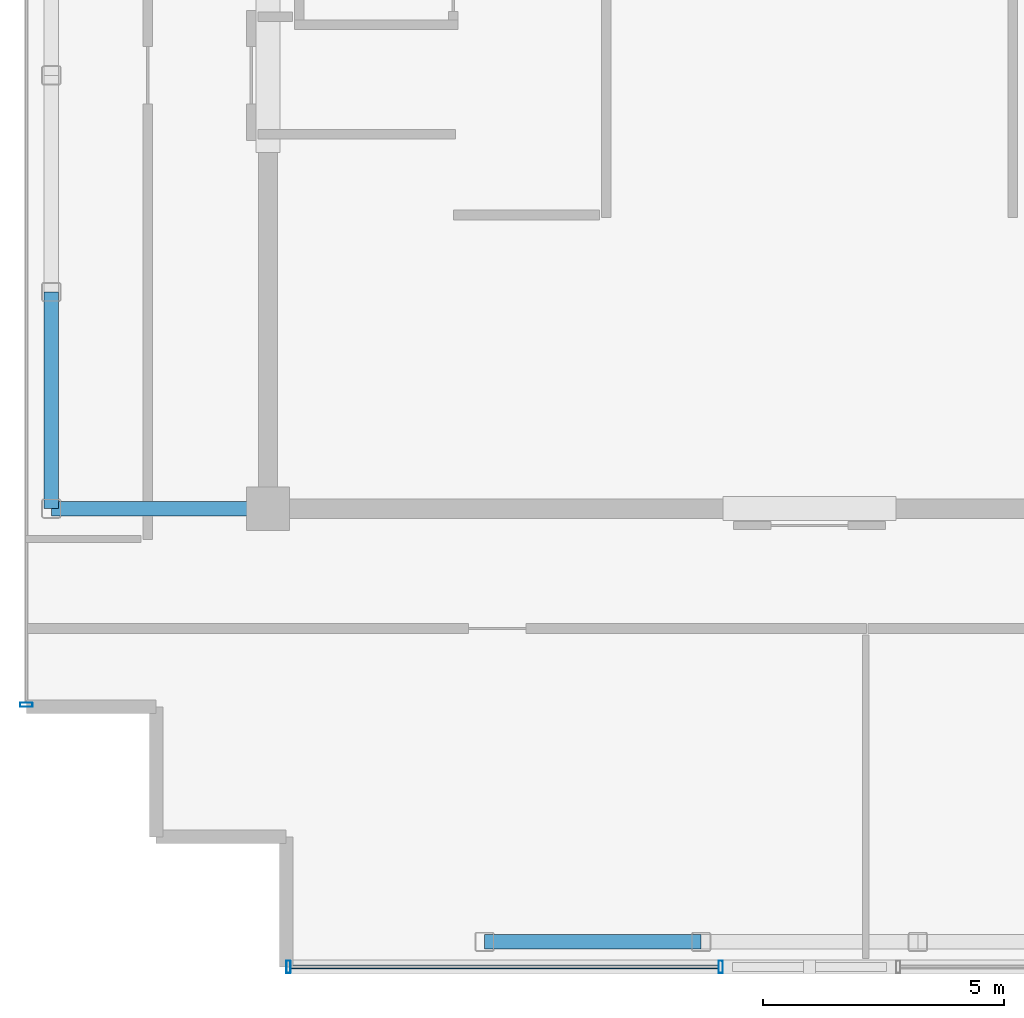
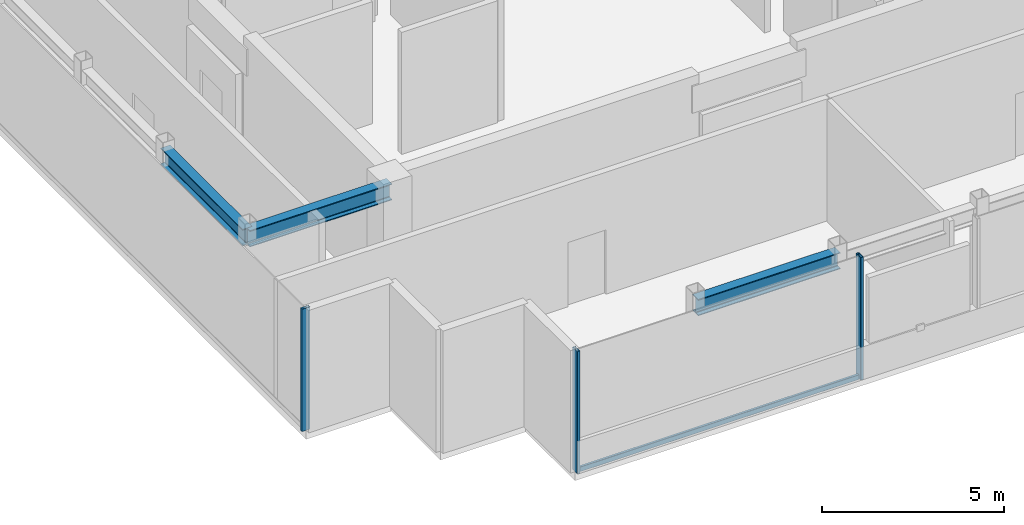
# One storey, part 2 of 14: 4 members, 3 beams, 2 elements without a shape of their own.
"""IFC4 building model written with IfcOpenShell, lengths in metres."""

from ifc_helpers import new_model, si_unit, direction, frame, origin, origin_2d, place, context, subcontext, project, spatial, hollow_rectangle, i_section, extrude, source, transform, mapped, material, layer, layer_set, material_profile, profile_set, type_object, element, aggregate, save


model = new_model("IFC4")

# Units and contexts
model_context = context("Model", 3, precision=1e-05, world=origin(), true_north=direction((0.0, 1.0)))
body_context = subcontext(model_context, "Body", "Model", "MODEL_VIEW")
ifc_project = project(units=[si_unit("LENGTHUNIT", "METRE"), si_unit("AREAUNIT", "SQUARE_METRE"), si_unit("VOLUMEUNIT", "CUBIC_METRE"), si_unit("PLANEANGLEUNIT", "RADIAN"), si_unit("MASSUNIT", "GRAM", prefix="KILO")], contexts=[model_context])

# Site, building, storey
site_placement = place(None, origin())
site = spatial("IfcSite", under=ifc_project, at=site_placement, CompositionType="ELEMENT")
building_placement = place(site_placement, origin())
building = spatial("IfcBuilding", under=site, at=building_placement, Name="Nefas-Gora Pilgrimage Tower", CompositionType="ELEMENT")
storey_placement = place(building_placement, frame((0.0, 0.0, 363.0)))
storey = spatial("IfcBuildingStorey", under=building, at=storey_placement, Name="L91", CompositionType="ELEMENT", Elevation=363.0)

# Beams
ifc_material_1 = material(Name="Steel S355", Category="steel")
ifc_material_profile_1 = material_profile(ifc_material_1, i_section(OverallWidth=0.300048828125, OverallDepth=0.550048828125, WebThickness=0.014892578125, FlangeThickness=0.029052734375, FilletRadius=0.027099609375, at=origin_2d()), Name="HEB 550")
ifc_profile_set_1 = profile_set([ifc_material_profile_1], Name="Steel S355")
beam_type_1 = type_object("IfcBeamType", Name="BM-SPN-HEB400", PredefinedType="SPANDREL", material=ifc_profile_set_1)
shared_shape_1 = source(origin(), body_context, "Body", "SweptSolid", [
    extrude(i_section(OverallWidth=0.300048828125, OverallDepth=0.550048828125, WebThickness=0.014892578125, FlangeThickness=0.029052734375, FilletRadius=0.027099609375, at=origin_2d()), origin(), (0.0, 0.0, 1.0), 4.5),
])
for number, where, z_axis, x_axis, name in (
    (1, (-15.75, -9.0, 3.824951171875), (0.0, 1.0, 0.0), (-1.0, 0.0, 0.0), "L91 SP-04 beam"),
    (2, (-6.75, -18.0, 3.824951171875), (1.0, 0.0, 0.0), (0.0, 1.0, 0.0), "L91 SP-04 beam"),
):
    element("IfcBeam", number, at=place(storey_placement, frame(where, z_axis=z_axis, x_axis=x_axis)), inside=storey, type_object=beam_type_1, Name=name, PredefinedType="SPANDREL", context=body_context, shape_type="MappedRepresentation", body=[
        mapped(shared_shape_1, transform((0.0, 0.0, 0.0), x_axis=(1.0, 0.0, 0.0), y_axis=(0.0, 1.0, 0.0), z_axis=(0.0, 0.0, 1.0), scale=1.0)),
    ])
ifc_material_profile_2 = material_profile(ifc_material_1, i_section(OverallWidth=0.300048828125, OverallDepth=0.550048828125, WebThickness=0.014892578125, FlangeThickness=0.029052734375, FilletRadius=0.027099609375, at=origin_2d()), Name="HEB 550")
ifc_profile_set_2 = profile_set([ifc_material_profile_2], Name="Steel S355")
beam_type_2 = type_object("IfcBeamType", Name="BM-GIR-HEB550", PredefinedType="BEAM", material=ifc_profile_set_2)
shared_shape_2 = source(origin(), body_context, "Body", "SweptSolid", [
    extrude(i_section(OverallWidth=0.300048828125, OverallDepth=0.550048828125, WebThickness=0.014892578125, FlangeThickness=0.029052734375, FilletRadius=0.027099609375, at=origin_2d()), origin(), (0.0, 0.0, 1.0), 4.5),
])
beam_placement = place(storey_placement, frame((-15.75, -9.0, 3.824951171875), z_axis=(1.0, 0.0, 0.0), x_axis=(0.0, 1.0, 0.0)))
element("IfcBeam", 3, at=beam_placement, inside=storey, type_object=beam_type_2, Name="L91 G-05 beam", PredefinedType="BEAM", context=body_context, shape_type="MappedRepresentation", body=[
    mapped(shared_shape_2, transform((0.0, 0.0, 0.0), x_axis=(1.0, 0.0, 0.0), y_axis=(0.0, 1.0, 0.0), z_axis=(0.0, 0.0, 1.0), scale=1.0)),
])

# Curtain wall, member
ifc_material_2 = material(Name="Dark ceramic-fritted solar-control aluminium-glass curtain wall", Category="aluminium")
ifc_layer = layer(ifc_material_2, 0.219970703125)
ifc_layer_set = layer_set([ifc_layer], Name="Dark ceramic-fritted solar-control aluminium-glass curtain wall")
curtain_wall_type = type_object("IfcCurtainWallType", Name="CW-SYS-6", PredefinedType="NOTDEFINED", material=ifc_layer_set)
curtain_wall_1_placement = place(storey_placement, origin())
curtain_wall_1 = element("IfcCurtainWall", 4, at=curtain_wall_1_placement, inside=storey, type_object=curtain_wall_type, Name="L91 Unitised Curtain Wall CW6", PredefinedType="NOTDEFINED")
ifc_material_3 = material(Name="Anodised architectural aluminium", Category="aluminium")
ifc_material_profile_3 = material_profile(ifc_material_3, hollow_rectangle(XDim=0.080078125, YDim=0.159912109375, WallThickness=0.00439453125, InnerFilletRadius=0.00439453125, OuterFilletRadius=0.009033203125, at=origin_2d()), Name="ALU TRANSOM 80x160")
ifc_profile_set_3 = profile_set([ifc_material_profile_3], Name="Anodised architectural aluminium")
member_type_1 = type_object("IfcMemberType", Name="CWM-TRN-6", PredefinedType="USERDEFINED", material=ifc_profile_set_3)
shared_shape_3 = source(origin(), body_context, "Body", "SweptSolid", [
    extrude(hollow_rectangle(XDim=0.080078125, YDim=0.159912109375, WallThickness=0.00439453125, InnerFilletRadius=0.00439453125, OuterFilletRadius=0.009033203125, at=origin_2d()), origin(), (0.0, 0.0, 1.0), 8.89013671875),
])
member_1_placement = place(storey_placement, frame((-10.780029296875, -18.52001953125, 0.050048828125), z_axis=(1.0, 0.0, 0.0), x_axis=(0.0, 1.0, 0.0)))
member_1 = element("IfcMember", 5, at=member_1_placement, type_object=member_type_1, Name="CW6 Spandrel Transom", ObjectType="TRANSOM", PredefinedType="USERDEFINED", context=body_context, shape_type="MappedRepresentation", body=[
    mapped(shared_shape_3, transform((0.0, 0.0, 0.0), x_axis=(1.0, 0.0, 0.0), y_axis=(0.0, 1.0, 0.0), z_axis=(0.0, 0.0, 1.0), scale=1.0)),
])

curtain_wall_2_placement = place(storey_placement, origin())
curtain_wall_2 = element("IfcCurtainWall", 6, at=curtain_wall_2_placement, inside=storey, type_object=curtain_wall_type, Name="L91 Unitised Curtain Wall CW6", PredefinedType="NOTDEFINED")
ifc_material_profile_4 = material_profile(ifc_material_3, hollow_rectangle(XDim=0.090087890625, YDim=0.260009765625, WallThickness=0.006103515625, InnerFilletRadius=0.006103515625, OuterFilletRadius=0.011962890625, at=origin_2d()), Name="ALU MULLION 90x260")
ifc_profile_set_4 = profile_set([ifc_material_profile_4], Name="Anodised architectural aluminium")
member_type_2 = type_object("IfcMemberType", Name="CWM-MUL-6", PredefinedType="MULLION", material=ifc_profile_set_4)
shared_shape_4 = source(origin(), body_context, "Body", "SweptSolid", [
    extrude(hollow_rectangle(XDim=0.090087890625, YDim=0.260009765625, WallThickness=0.006103515625, InnerFilletRadius=0.006103515625, OuterFilletRadius=0.011962890625, at=origin_2d()), origin(), (0.0, 0.0, 1.0), 4.10009765625),
])
member_2_placement = place(storey_placement, frame((-16.27001953125, -13.074951171875, 0.0), z_axis=(0.0, 0.0, 1.0), x_axis=(0.0, -1.0, 0.0)))
member_2 = element("IfcMember", 7, at=member_2_placement, type_object=member_type_2, Name="CW6 Mullion 2", PredefinedType="MULLION", context=body_context, shape_type="MappedRepresentation", body=[
    mapped(shared_shape_4, transform((0.0, 0.0, 0.0), x_axis=(1.0, 0.0, 0.0), y_axis=(0.0, 1.0, 0.0), z_axis=(0.0, 0.0, 1.0), scale=1.0)),
])
aggregate(curtain_wall_2, [member_2])

# Member
member_3_placement = place(storey_placement, frame((-10.824951171875, -18.52001953125, 0.0), z_axis=(0.0, 0.0, 1.0), x_axis=(1.0, 0.0, 0.0)))
member_3 = element("IfcMember", 8, at=member_3_placement, type_object=member_type_2, Name="CW6 Mullion 1", PredefinedType="MULLION", context=body_context, shape_type="MappedRepresentation", body=[
    mapped(shared_shape_4, transform((0.0, 0.0, 0.0), x_axis=(1.0, 0.0, 0.0), y_axis=(0.0, 1.0, 0.0), z_axis=(0.0, 0.0, 1.0), scale=1.0)),
])

member_4_placement = place(storey_placement, frame((-1.844970703125, -18.52001953125, 0.0), z_axis=(0.0, 0.0, 1.0), x_axis=(1.0, 0.0, 0.0)))
member_4 = element("IfcMember", 9, at=member_4_placement, type_object=member_type_2, Name="CW6 Mullion 2", PredefinedType="MULLION", context=body_context, shape_type="MappedRepresentation", body=[
    mapped(shared_shape_4, transform((0.0, 0.0, 0.0), x_axis=(1.0, 0.0, 0.0), y_axis=(0.0, 1.0, 0.0), z_axis=(0.0, 0.0, 1.0), scale=1.0)),
])

aggregate(curtain_wall_1, [member_3, member_4, member_1])

save(model, "model.ifc")
